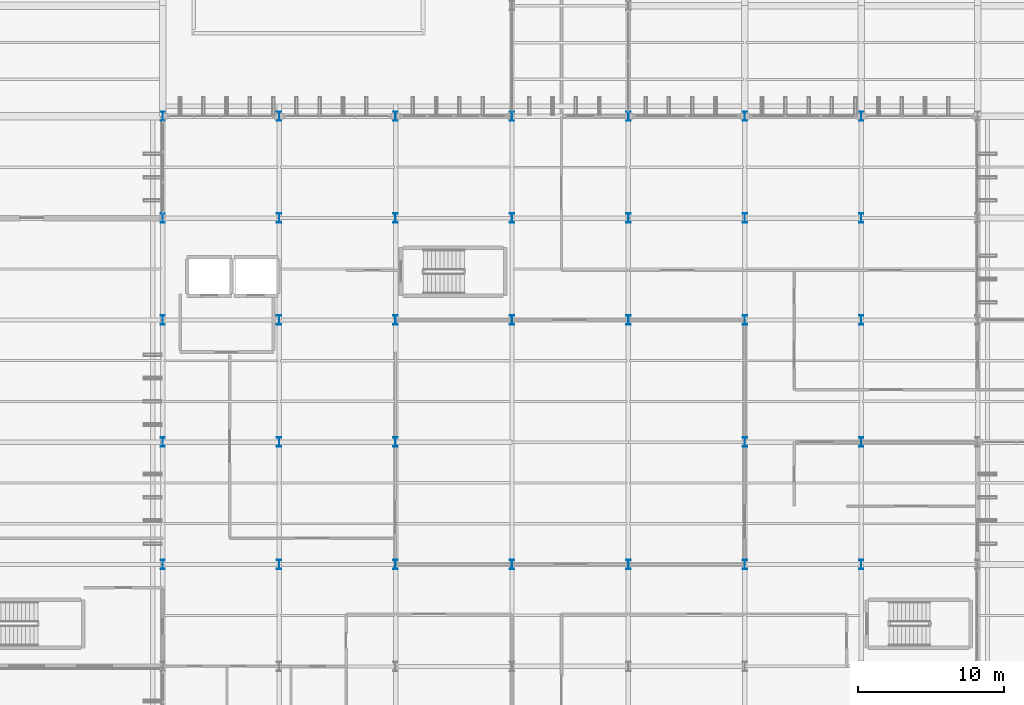
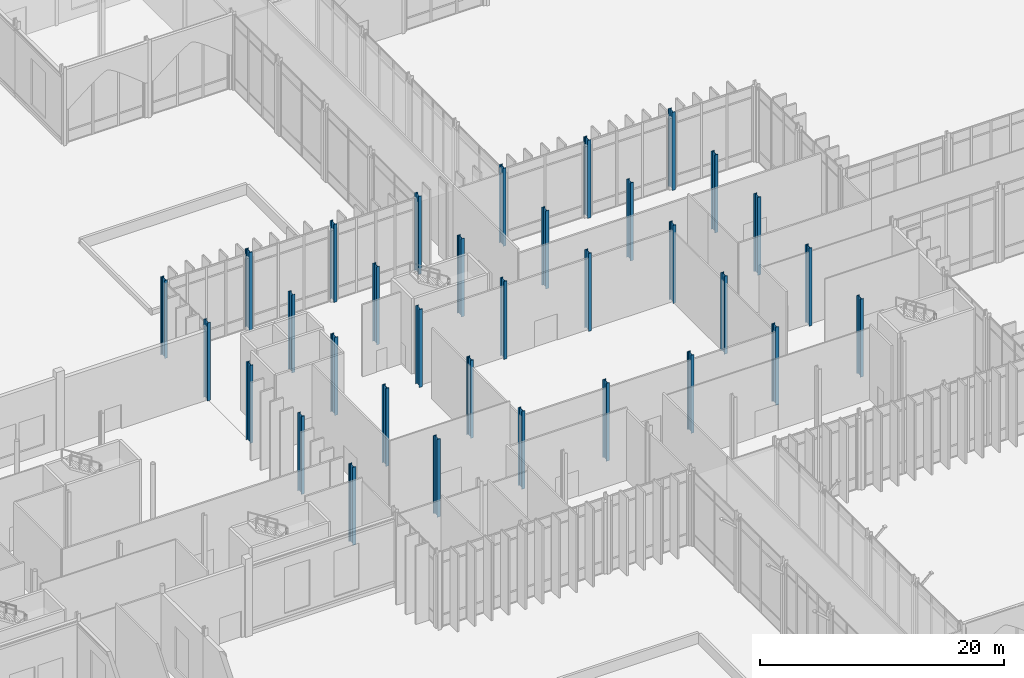
# One storey, part 12 of 176: 33 columns.
"""IFC4 building model written with IfcOpenShell, lengths in metres."""

from ifc_helpers import new_model, si_unit, direction, frame, origin, origin_2d, place, context, subcontext, project, spatial, i_section, extrude, material, material_profile, profile_set, type_object, element, save


model = new_model("IFC4")

# Units and contexts
model_context = context("Model", 3, precision=1e-05, world=origin(), true_north=direction((0.0, 1.0)))
body_context = subcontext(model_context, "Body", "Model", "MODEL_VIEW")
ifc_project = project(units=[si_unit("LENGTHUNIT", "METRE"), si_unit("AREAUNIT", "SQUARE_METRE"), si_unit("VOLUMEUNIT", "CUBIC_METRE"), si_unit("PLANEANGLEUNIT", "RADIAN"), si_unit("MASSUNIT", "GRAM", prefix="KILO")], contexts=[model_context])

# Site, building, storey
site_placement = place(None, origin())
site = spatial("IfcSite", under=ifc_project, at=site_placement, CompositionType="ELEMENT")
building_placement = place(site_placement, origin())
building = spatial("IfcBuilding", under=site, at=building_placement, Name="Vekula Escarpment Museum", CompositionType="ELEMENT")
storey_placement = place(building_placement, origin())
storey = spatial("IfcBuildingStorey", under=building, at=storey_placement, Name="L01", CompositionType="ELEMENT", Elevation=0.0)

# Columns
ifc_material = material(Name="Steel S355", Category="steel")
ifc_material_profile = material_profile(ifc_material, i_section(OverallWidth=0.300048828125, OverallDepth=0.64990234375, WebThickness=0.01611328125, FlangeThickness=0.031005859375, FilletRadius=0.027099609375, at=origin_2d()), Name="HEB 650")
ifc_profile_set = profile_set([ifc_material_profile], Name="Steel S355")
column_type = type_object("IfcColumnType", Name="COL-S-HEB650", PredefinedType="COLUMN", material=ifc_profile_set)
for number, where, z_axis, x_axis, name in (
    (1, (70.0, 59.60009765625, 0.0), (0.0, 0.0, 1.0), (1.0, 0.0, 0.0), "Column L01 (70.0,59.6)"),
    (2, (70.0, 68.0, 0.0), (0.0, 0.0, 1.0), (1.0, 0.0, 0.0), "Column L01 (70.0,68.0)"),
    (3, (70.0, 76.39990234375, 0.0), (0.0, 0.0, 1.0), (1.0, 0.0, 0.0), "Column L01 (70.0,76.4)"),
    (4, (70.0, 83.39990234375, 0.0), (0.0, 0.0, 1.0), (1.0, 0.0, 0.0), "Column L01 (70.0,83.4)"),
    (5, (70.0, 90.39990234375, 0.0), (0.0, 0.0, 1.0), (1.0, 0.0, 0.0), "Column L01 (70.0,90.4)"),
    (6, (78.0, 59.60009765625, 0.0), (0.0, 0.0, 1.0), (1.0, 0.0, 0.0), "Column L01 (78.0,59.6)"),
    (7, (78.0, 68.0, 0.0), (0.0, 0.0, 1.0), (1.0, 0.0, 0.0), "Column L01 (78.0,68.0)"),
    (8, (78.0, 76.39990234375, 0.0), (0.0, 0.0, 1.0), (1.0, 0.0, 0.0), "Column L01 (78.0,76.4)"),
    (9, (78.0, 83.39990234375, 0.0), (0.0, 0.0, 1.0), (1.0, 0.0, 0.0), "Column L01 (78.0,83.4)"),
    (10, (78.0, 90.39990234375, 0.0), (0.0, 0.0, 1.0), (1.0, 0.0, 0.0), "Column L01 (78.0,90.4)"),
    (11, (86.0, 59.60009765625, 0.0), (0.0, 0.0, 1.0), (1.0, 0.0, 0.0), "Column L01 (86.0,59.6)"),
    (12, (86.0, 68.0, 0.0), (0.0, 0.0, 1.0), (1.0, 0.0, 0.0), "Column L01 (86.0,68.0)"),
    (13, (86.0, 76.39990234375, 0.0), (0.0, 0.0, 1.0), (1.0, 0.0, 0.0), "Column L01 (86.0,76.4)"),
    (14, (86.0, 83.39990234375, 0.0), (0.0, 0.0, 1.0), (1.0, 0.0, 0.0), "Column L01 (86.0,83.4)"),
    (15, (86.0, 90.39990234375, 0.0), (0.0, 0.0, 1.0), (1.0, 0.0, 0.0), "Column L01 (86.0,90.4)"),
    (16, (94.0, 59.60009765625, 0.0), (0.0, 0.0, 1.0), (1.0, 0.0, 0.0), "Column L01 (94.0,59.6)"),
    (17, (94.0, 76.39990234375, 0.0), (0.0, 0.0, 1.0), (1.0, 0.0, 0.0), "Column L01 (94.0,76.4)"),
    (18, (94.0, 83.39990234375, 0.0), (0.0, 0.0, 1.0), (1.0, 0.0, 0.0), "Column L01 (94.0,83.4)"),
    (19, (94.0, 90.39990234375, 0.0), (0.0, 0.0, 1.0), (1.0, 0.0, 0.0), "Column L01 (94.0,90.4)"),
    (20, (102.0, 59.60009765625, 0.0), (0.0, 0.0, 1.0), (1.0, 0.0, 0.0), "Column L01 (102.0,59.6)"),
    (21, (102.0, 76.39990234375, 0.0), (0.0, 0.0, 1.0), (1.0, 0.0, 0.0), "Column L01 (102.0,76.4)"),
    (22, (102.0, 83.39990234375, 0.0), (0.0, 0.0, 1.0), (1.0, 0.0, 0.0), "Column L01 (102.0,83.4)"),
    (23, (102.0, 90.39990234375, 0.0), (0.0, 0.0, 1.0), (1.0, 0.0, 0.0), "Column L01 (102.0,90.4)"),
    (24, (110.0, 59.60009765625, 0.0), (0.0, 0.0, 1.0), (1.0, 0.0, 0.0), "Column L01 (110.0,59.6)"),
    (25, (110.0, 68.0, 0.0), (0.0, 0.0, 1.0), (1.0, 0.0, 0.0), "Column L01 (110.0,68.0)"),
    (26, (110.0, 76.39990234375, 0.0), (0.0, 0.0, 1.0), (1.0, 0.0, 0.0), "Column L01 (110.0,76.4)"),
    (27, (110.0, 83.39990234375, 0.0), (0.0, 0.0, 1.0), (1.0, 0.0, 0.0), "Column L01 (110.0,83.4)"),
    (28, (110.0, 90.39990234375, 0.0), (0.0, 0.0, 1.0), (1.0, 0.0, 0.0), "Column L01 (110.0,90.4)"),
    (29, (118.0, 59.60009765625, 0.0), (0.0, 0.0, 1.0), (1.0, 0.0, 0.0), "Column L01 (118.0,59.6)"),
    (30, (118.0, 68.0, 0.0), (0.0, 0.0, 1.0), (1.0, 0.0, 0.0), "Column L01 (118.0,68.0)"),
    (31, (118.0, 76.39990234375, 0.0), (0.0, 0.0, 1.0), (1.0, 0.0, 0.0), "Column L01 (118.0,76.4)"),
    (32, (118.0, 83.39990234375, 0.0), (0.0, 0.0, 1.0), (1.0, 0.0, 0.0), "Column L01 (118.0,83.4)"),
    (33, (118.0, 90.39990234375, 0.0), (0.0, 0.0, 1.0), (1.0, 0.0, 0.0), "Column L01 (118.0,90.4)"),
):
    element("IfcColumn", number, at=place(storey_placement, frame(where, z_axis=z_axis, x_axis=x_axis)), inside=storey, type_object=column_type, Name=name, PredefinedType="COLUMN", context=body_context, shape_type="SweptSolid", body=[
        extrude(i_section(OverallWidth=0.300048828125, OverallDepth=0.64990234375, WebThickness=0.01611328125, FlangeThickness=0.031005859375, FilletRadius=0.027099609375, at=origin_2d()), origin(), (0.0, 0.0, 1.0), 7.800048828125),
    ])

save(model, "model.ifc")
